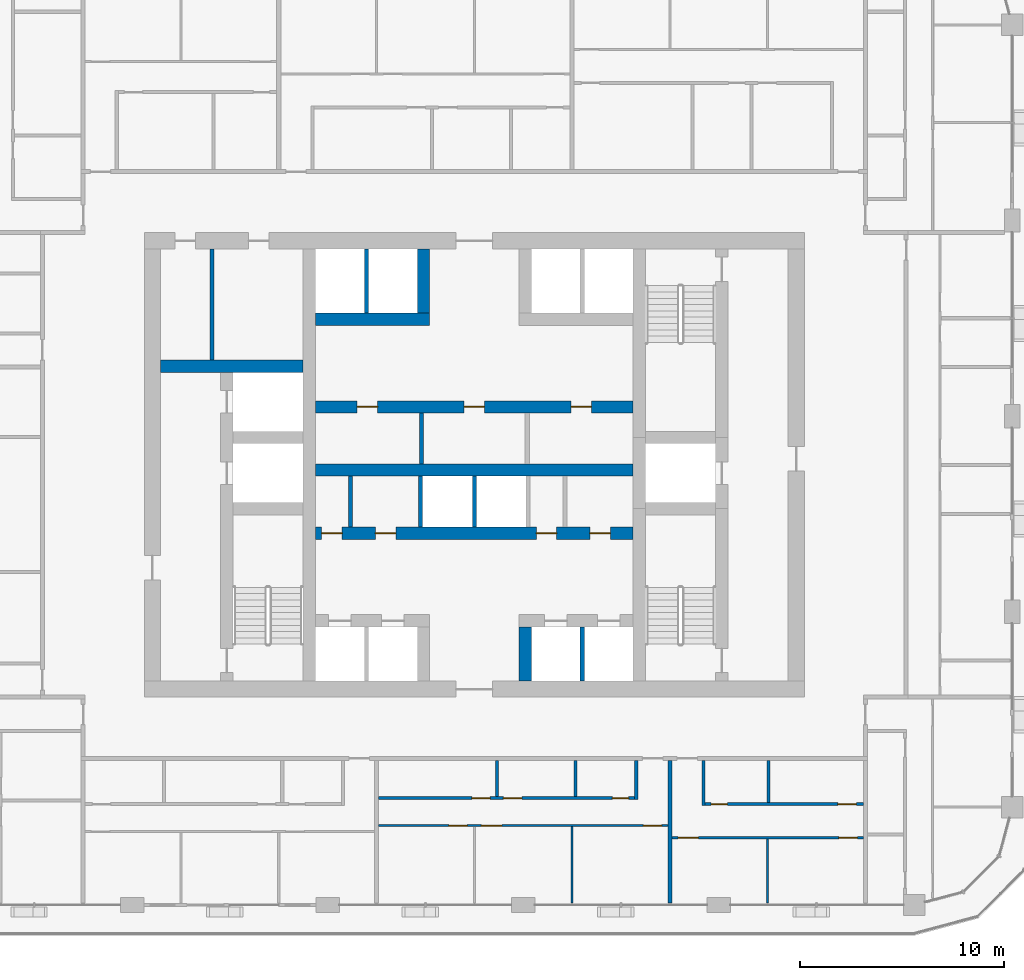
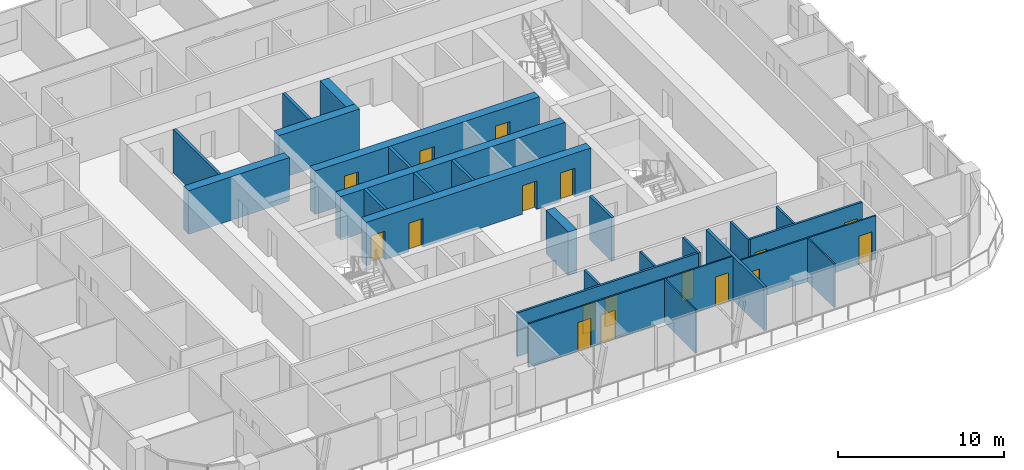
# One storey, part 11 of 23: 26 walls, 17 doors, 17 openings.
"""IFC4 building model written with IfcOpenShell, lengths in metres."""

from ifc_helpers import new_model, si_unit, direction, frame, frame_2d, origin, place, context, subcontext, project, spatial, rectangle, extrude, material, layer, layer_set, type_object, element, fill, save


model = new_model("IFC4")

# Units and contexts
model_context = context("Model", 3, precision=1e-05, world=origin(), true_north=direction((0.0, 1.0)))
body_context = subcontext(model_context, "Body", "Model", "MODEL_VIEW")
ifc_project = project(units=[si_unit("LENGTHUNIT", "METRE"), si_unit("AREAUNIT", "SQUARE_METRE"), si_unit("VOLUMEUNIT", "CUBIC_METRE"), si_unit("PLANEANGLEUNIT", "RADIAN"), si_unit("MASSUNIT", "GRAM", prefix="KILO")], contexts=[model_context])

# Site, building, storey
site_placement = place(None, origin())
site = spatial("IfcSite", under=ifc_project, at=site_placement, CompositionType="ELEMENT")
building_placement = place(site_placement, origin())
building = spatial("IfcBuilding", under=site, at=building_placement, Name="Madar Terraces", CompositionType="ELEMENT")
storey_placement = place(building_placement, frame((0.0, 0.0, 133.10009765625)))
storey = spatial("IfcBuildingStorey", under=building, at=storey_placement, Name="L34", CompositionType="ELEMENT", Elevation=133.10009765625)

# Wall
ifc_material_1 = material(Name="Concrete C70/85", Category="concrete")
ifc_layer_1 = layer(ifc_material_1, 0.60009765625)
ifc_layer_set_1 = layer_set([ifc_layer_1], Name="Concrete C70/85 (CIW3 RC wall 600)")
wall_type_1 = type_object("IfcWallType", Name="CIW3 RC wall 600", PredefinedType="SHEAR", material=ifc_layer_set_1)
wall_1_placement = place(storey_placement, frame((15.800048828125, 31.25, 0.0), z_axis=(0.0, 0.0, 1.0), x_axis=(1.0, 0.0, 0.0)))
element("IfcWall", 1, at=wall_1_placement, inside=storey, type_object=wall_type_1, Name="CORE SHAFT WALL", PredefinedType="SHEAR", context=body_context, shape_type="SweptSolid", body=[
    extrude(rectangle(XDim=7.0, YDim=0.60009765625, at=frame_2d((3.5, 0.0))), origin(), (0.0, 0.0, 1.0), 3.199951171875),
])

# Wall, openings, doors
wall_2_placement = place(storey_placement, frame((23.39990234375, 23.050048828125, 0.0), z_axis=(0.0, 0.0, 1.0), x_axis=(1.0, 0.0, 0.0)))
wall_2 = element("IfcWall", 2, at=wall_2_placement, inside=storey, type_object=wall_type_1, Name="CORE SHAFT WALL", PredefinedType="SHEAR", context=body_context, shape_type="SweptSolid", body=[
    extrude(rectangle(XDim=15.60009765625, YDim=0.60009765625, at=frame_2d((7.800048828125, 0.0))), origin(), (0.0, 0.0, 1.0), 3.199951171875),
])
opening_1_placement = place(wall_2_placement, frame((0.311279296875, 0.0, 0.0)))
opening_1 = element("IfcOpeningElement", 3, at=opening_1_placement, cuts=wall_2, Name="Opening KD2", PredefinedType="OPENING", context=body_context, shape_type="SweptSolid", body=[
    extrude(rectangle(XDim=1.0, YDim=2.10009765625, at=frame_2d((0.5, 1.050048828125))), frame((0.0, 0.31005859375, 0.0), z_axis=(0.0, -1.0, 0.0), x_axis=(1.0, 0.0, 0.0)), (0.0, 0.0, 1.0), 0.6201171875),
])
opening_2_placement = place(wall_2_placement, frame((2.944580078125, 0.0, 0.0)))
opening_2 = element("IfcOpeningElement", 4, at=opening_2_placement, cuts=wall_2, Name="Opening KD2", PredefinedType="OPENING", context=body_context, shape_type="SweptSolid", body=[
    extrude(rectangle(XDim=1.0, YDim=2.10009765625, at=frame_2d((0.5, 1.050048828125))), frame((0.0, 0.31005859375, 0.0), z_axis=(0.0, -1.0, 0.0), x_axis=(1.0, 0.0, 0.0)), (0.0, 0.0, 1.0), 0.6201171875),
])
opening_3_placement = place(wall_2_placement, frame((10.8447265625, 0.0, 0.0)))
opening_3 = element("IfcOpeningElement", 5, at=opening_3_placement, cuts=wall_2, Name="Opening KD2", PredefinedType="OPENING", context=body_context, shape_type="SweptSolid", body=[
    extrude(rectangle(XDim=1.0, YDim=2.10009765625, at=frame_2d((0.5, 1.050048828125))), frame((0.0, 0.31005859375, 0.0), z_axis=(0.0, -1.0, 0.0), x_axis=(1.0, 0.0, 0.0)), (0.0, 0.0, 1.0), 0.6201171875),
])
opening_4_placement = place(wall_2_placement, frame((13.47802734375, 0.0, 0.0)))
opening_4 = element("IfcOpeningElement", 6, at=opening_4_placement, cuts=wall_2, Name="Opening KD2", PredefinedType="OPENING", context=body_context, shape_type="SweptSolid", body=[
    extrude(rectangle(XDim=1.0, YDim=2.10009765625, at=frame_2d((0.5, 1.050048828125))), frame((0.0, 0.31005859375, 0.0), z_axis=(0.0, -1.0, 0.0), x_axis=(1.0, 0.0, 0.0)), (0.0, 0.0, 1.0), 0.6201171875),
])
ifc_material_2 = material(Name="Steel door leaf", Category="steel")
door_type_1 = type_object("IfcDoorType", Name="Service room door 1000 x 2100", OperationType="NOTDEFINED", PredefinedType="DOOR", material=ifc_material_2)
door_1_placement = place(opening_1_placement, frame((1.0, 0.0, 0.0), z_axis=(0.0, 0.0, 1.0), x_axis=(-1.0, 0.0, 0.0)))
door_1 = element("IfcDoor", 7, at=door_1_placement, inside=storey, type_object=door_type_1, Name="SERVICE ROOM DOOR", OperationType="SINGLE_SWING_LEFT", OverallHeight=2.10009765625, OverallWidth=1.0, PredefinedType="DOOR", context=body_context, shape_type="SweptSolid", body=[
    extrude(rectangle(XDim=1.0, YDim=2.10009765625, at=frame_2d((0.5, 1.050048828125))), frame((0.0, 0.02490234375, 0.0), z_axis=(0.0, -1.0, 0.0), x_axis=(1.0, 0.0, 0.0)), (0.0, 0.0, 1.0), 0.050048828125),
])
fill(opening_1, door_1)
door_2_placement = place(opening_2_placement, frame((1.0, 0.0, 0.0), z_axis=(0.0, 0.0, 1.0), x_axis=(-1.0, 0.0, 0.0)))
door_2 = element("IfcDoor", 8, at=door_2_placement, inside=storey, type_object=door_type_1, Name="SERVICE ROOM DOOR", OperationType="SINGLE_SWING_RIGHT", OverallHeight=2.10009765625, OverallWidth=1.0, PredefinedType="DOOR", context=body_context, shape_type="SweptSolid", body=[
    extrude(rectangle(XDim=1.0, YDim=2.10009765625, at=frame_2d((0.5, 1.050048828125))), frame((0.0, 0.02490234375, 0.0), z_axis=(0.0, -1.0, 0.0), x_axis=(1.0, 0.0, 0.0)), (0.0, 0.0, 1.0), 0.050048828125),
])
fill(opening_2, door_2)
door_3_placement = place(opening_3_placement, frame((1.0, 0.0, 0.0), z_axis=(0.0, 0.0, 1.0), x_axis=(-1.0, 0.0, 0.0)))
door_3 = element("IfcDoor", 9, at=door_3_placement, inside=storey, type_object=door_type_1, Name="SERVICE ROOM DOOR", OperationType="SINGLE_SWING_LEFT", OverallHeight=2.10009765625, OverallWidth=1.0, PredefinedType="DOOR", context=body_context, shape_type="SweptSolid", body=[
    extrude(rectangle(XDim=1.0, YDim=2.10009765625, at=frame_2d((0.5, 1.050048828125))), frame((0.0, 0.02490234375, 0.0), z_axis=(0.0, -1.0, 0.0), x_axis=(1.0, 0.0, 0.0)), (0.0, 0.0, 1.0), 0.050048828125),
])
fill(opening_3, door_3)
door_4_placement = place(opening_4_placement, frame((1.0, 0.0, 0.0), z_axis=(0.0, 0.0, 1.0), x_axis=(-1.0, 0.0, 0.0)))
door_4 = element("IfcDoor", 10, at=door_4_placement, inside=storey, type_object=door_type_1, Name="SERVICE ROOM DOOR", OperationType="SINGLE_SWING_RIGHT", OverallHeight=2.10009765625, OverallWidth=1.0, PredefinedType="DOOR", context=body_context, shape_type="SweptSolid", body=[
    extrude(rectangle(XDim=1.0, YDim=2.10009765625, at=frame_2d((0.5, 1.050048828125))), frame((0.0, 0.02490234375, 0.0), z_axis=(0.0, -1.0, 0.0), x_axis=(1.0, 0.0, 0.0)), (0.0, 0.0, 1.0), 0.050048828125),
])
fill(opening_4, door_4)

# Wall
wall_3_placement = place(storey_placement, frame((23.39990234375, 26.14990234375, 0.0), z_axis=(0.0, 0.0, 1.0), x_axis=(1.0, 0.0, 0.0)))
element("IfcWall", 11, at=wall_3_placement, inside=storey, type_object=wall_type_1, Name="CORE SHAFT WALL", PredefinedType="SHEAR", context=body_context, shape_type="SweptSolid", body=[
    extrude(rectangle(XDim=15.60009765625, YDim=0.60009765625, at=frame_2d((7.800048828125, 0.0))), origin(), (0.0, 0.0, 1.0), 3.199951171875),
])

# Wall, openings, doors
wall_4_placement = place(storey_placement, frame((23.39990234375, 29.25, 0.0), z_axis=(0.0, 0.0, 1.0), x_axis=(1.0, 0.0, 0.0)))
wall_4 = element("IfcWall", 12, at=wall_4_placement, inside=storey, type_object=wall_type_1, Name="CORE SHAFT WALL", PredefinedType="SHEAR", context=body_context, shape_type="SweptSolid", body=[
    extrude(rectangle(XDim=15.60009765625, YDim=0.60009765625, at=frame_2d((7.800048828125, 0.0))), origin(), (0.0, 0.0, 1.0), 3.199951171875),
])
opening_5_placement = place(wall_4_placement, frame((2.050048828125, 0.0, 0.0)))
opening_5 = element("IfcOpeningElement", 13, at=opening_5_placement, cuts=wall_4, Name="Opening KD2", PredefinedType="OPENING", context=body_context, shape_type="SweptSolid", body=[
    extrude(rectangle(XDim=1.0, YDim=2.10009765625, at=frame_2d((0.5, 1.050048828125))), frame((0.0, 0.31005859375, 0.0), z_axis=(0.0, -1.0, 0.0), x_axis=(1.0, 0.0, 0.0)), (0.0, 0.0, 1.0), 0.6201171875),
])
opening_6_placement = place(wall_4_placement, frame((7.300048828125, 0.0, 0.0)))
opening_6 = element("IfcOpeningElement", 14, at=opening_6_placement, cuts=wall_4, Name="Opening KD2", PredefinedType="OPENING", context=body_context, shape_type="SweptSolid", body=[
    extrude(rectangle(XDim=1.0, YDim=2.10009765625, at=frame_2d((0.5, 1.050048828125))), frame((0.0, 0.31005859375, 0.0), z_axis=(0.0, -1.0, 0.0), x_axis=(1.0, 0.0, 0.0)), (0.0, 0.0, 1.0), 0.6201171875),
])
opening_7_placement = place(wall_4_placement, frame((12.550048828125, 0.0, 0.0)))
opening_7 = element("IfcOpeningElement", 15, at=opening_7_placement, cuts=wall_4, Name="Opening KD2", PredefinedType="OPENING", context=body_context, shape_type="SweptSolid", body=[
    extrude(rectangle(XDim=1.0, YDim=2.10009765625, at=frame_2d((0.5, 1.050048828125))), frame((0.0, 0.31005859375, 0.0), z_axis=(0.0, -1.0, 0.0), x_axis=(1.0, 0.0, 0.0)), (0.0, 0.0, 1.0), 0.6201171875),
])
door_5_placement = place(opening_5_placement, origin())
door_5 = element("IfcDoor", 16, at=door_5_placement, inside=storey, type_object=door_type_1, Name="SERVICE ROOM DOOR", OperationType="SINGLE_SWING_LEFT", OverallHeight=2.10009765625, OverallWidth=1.0, PredefinedType="DOOR", context=body_context, shape_type="SweptSolid", body=[
    extrude(rectangle(XDim=1.0, YDim=2.10009765625, at=frame_2d((0.5, 1.050048828125))), frame((0.0, 0.02490234375, 0.0), z_axis=(0.0, -1.0, 0.0), x_axis=(1.0, 0.0, 0.0)), (0.0, 0.0, 1.0), 0.050048828125),
])
fill(opening_5, door_5)
door_6_placement = place(opening_6_placement, origin())
door_6 = element("IfcDoor", 17, at=door_6_placement, inside=storey, type_object=door_type_1, Name="SERVICE ROOM DOOR", OperationType="SINGLE_SWING_RIGHT", OverallHeight=2.10009765625, OverallWidth=1.0, PredefinedType="DOOR", context=body_context, shape_type="SweptSolid", body=[
    extrude(rectangle(XDim=1.0, YDim=2.10009765625, at=frame_2d((0.5, 1.050048828125))), frame((0.0, 0.02490234375, 0.0), z_axis=(0.0, -1.0, 0.0), x_axis=(1.0, 0.0, 0.0)), (0.0, 0.0, 1.0), 0.050048828125),
])
fill(opening_6, door_6)
door_7_placement = place(opening_7_placement, origin())
door_7 = element("IfcDoor", 18, at=door_7_placement, inside=storey, type_object=door_type_1, Name="SERVICE ROOM DOOR", OperationType="SINGLE_SWING_LEFT", OverallHeight=2.10009765625, OverallWidth=1.0, PredefinedType="DOOR", context=body_context, shape_type="SweptSolid", body=[
    extrude(rectangle(XDim=1.0, YDim=2.10009765625, at=frame_2d((0.5, 1.050048828125))), frame((0.0, 0.02490234375, 0.0), z_axis=(0.0, -1.0, 0.0), x_axis=(1.0, 0.0, 0.0)), (0.0, 0.0, 1.0), 0.050048828125),
])
fill(opening_7, door_7)

# Walls
wall_5_placement = place(storey_placement, frame((23.39990234375, 33.550048828125, 0.0), z_axis=(0.0, 0.0, 1.0), x_axis=(1.0, 0.0, 0.0)))
element("IfcWall", 19, at=wall_5_placement, inside=storey, type_object=wall_type_1, Name="CORE SHAFT WALL", PredefinedType="SHEAR", context=body_context, shape_type="SweptSolid", body=[
    extrude(rectangle(XDim=5.60009765625, YDim=0.60009765625, at=frame_2d((2.800048828125, 0.0))), origin(), (0.0, 0.0, 1.0), 3.199951171875),
])
wall_6_placement = place(storey_placement, frame((33.699951171875, 15.800048828125, 0.0), z_axis=(0.0, 0.0, 1.0), x_axis=(0.0, 1.0, 0.0)))
element("IfcWall", 20, at=wall_6_placement, inside=storey, type_object=wall_type_1, Name="CORE SHAFT WALL", PredefinedType="SHEAR", context=body_context, shape_type="SweptSolid", body=[
    extrude(rectangle(XDim=2.64990234375, YDim=0.60009765625, at=frame_2d((1.324951171875, 0.0))), origin(), (0.0, 0.0, 1.0), 3.199951171875),
])
wall_7_placement = place(storey_placement, frame((28.699951171875, 33.85009765625, 0.0), z_axis=(0.0, 0.0, 1.0), x_axis=(0.0, 1.0, 0.0)))
element("IfcWall", 21, at=wall_7_placement, inside=storey, type_object=wall_type_1, Name="CORE SHAFT WALL", PredefinedType="SHEAR", context=body_context, shape_type="SweptSolid", body=[
    extrude(rectangle(XDim=3.14990234375, YDim=0.60009765625, at=frame_2d((1.574951171875, 0.0))), origin(), (0.0, 0.0, 1.0), 3.199951171875),
])
ifc_material_3 = material(Name="Masonry blockwork", Category="masonry")
ifc_layer_2 = layer(ifc_material_3, 0.199951171875)
ifc_layer_set_2 = layer_set([ifc_layer_2], Name="Core partition 200 blockwork")
wall_type_2 = type_object("IfcWallType", Name="Core partition 200 blockwork", PredefinedType="PARTITIONING", material=ifc_layer_set_2)
wall_8_placement = place(storey_placement, frame((18.320068359375, 31.550048828125, 0.0), z_axis=(0.0, 0.0, 1.0), x_axis=(0.0, 1.0, 0.0)))
element("IfcWall", 22, at=wall_8_placement, inside=storey, type_object=wall_type_2, Name="SERVICE ROOM PARTITION", PredefinedType="PARTITIONING", context=body_context, shape_type="SweptSolid", body=[
    extrude(rectangle(XDim=5.449951171875, YDim=0.199951171875, at=frame_2d((2.72509765625, 0.0))), origin(), (0.0, 0.0, 1.0), 3.199951171875),
])
for number, where, z_axis, x_axis, name in (
    (23, (25.12255859375, 23.35009765625, 0.0), (0.0, 0.0, 1.0), (0.0, 1.0, 0.0), "SERVICE ROOM PARTITION"),
    (24, (28.60009765625, 26.449951171875, 0.0), (0.0, 0.0, 1.0), (0.0, 1.0, 0.0), "SERVICE ROOM PARTITION"),
):
    element("IfcWall", number, at=place(storey_placement, frame(where, z_axis=z_axis, x_axis=x_axis)), inside=storey, type_object=wall_type_2, Name=name, PredefinedType="PARTITIONING", context=body_context, shape_type="SweptSolid", body=[
        extrude(rectangle(XDim=2.5, YDim=0.199951171875, at=frame_2d((1.25, 0.0))), origin(), (0.0, 0.0, 1.0), 3.199951171875),
    ])
ifc_material_4 = material(Name="Concrete C40/50", Category="concrete")
ifc_layer_3 = layer(ifc_material_4, 0.199951171875)
ifc_layer_set_3 = layer_set([ifc_layer_3], Name="Core shaft dividing wall 200 C40/50")
wall_type_3 = type_object("IfcWallType", Name="Core shaft dividing wall 200 C40/50", PredefinedType="SOLIDWALL", material=ifc_layer_set_3)
for number, where, z_axis, x_axis, name in (
    (25, (28.566650390625, 23.35009765625, 0.0), (0.0, 0.0, 1.0), (0.0, 1.0, 0.0), "SHAFT DIVIDING WALL"),
    (26, (31.199951171875, 23.35009765625, 0.0), (0.0, 0.0, 1.0), (0.0, 1.0, 0.0), "SHAFT DIVIDING WALL"),
):
    element("IfcWall", number, at=place(storey_placement, frame(where, z_axis=z_axis, x_axis=x_axis)), inside=storey, type_object=wall_type_3, Name=name, PredefinedType="SOLIDWALL", context=body_context, shape_type="SweptSolid", body=[
        extrude(rectangle(XDim=2.5, YDim=0.199951171875, at=frame_2d((1.25, 0.0))), origin(), (0.0, 0.0, 1.0), 3.199951171875),
    ])
wall_9_placement = place(storey_placement, frame((25.89990234375, 33.85009765625, 0.0), z_axis=(0.0, 0.0, 1.0), x_axis=(0.0, 1.0, 0.0)))
element("IfcWall", 27, at=wall_9_placement, inside=storey, type_object=wall_type_3, Name="SHAFT DIVIDING WALL", PredefinedType="SOLIDWALL", context=body_context, shape_type="SweptSolid", body=[
    extrude(rectangle(XDim=3.14990234375, YDim=0.199951171875, at=frame_2d((1.574951171875, 0.0))), origin(), (0.0, 0.0, 1.0), 3.199951171875),
])
wall_10_placement = place(storey_placement, frame((36.5, 15.800048828125, 0.0), z_axis=(0.0, 0.0, 1.0), x_axis=(0.0, 1.0, 0.0)))
element("IfcWall", 28, at=wall_10_placement, inside=storey, type_object=wall_type_3, Name="SHAFT DIVIDING WALL", PredefinedType="SOLIDWALL", context=body_context, shape_type="SweptSolid", body=[
    extrude(rectangle(XDim=2.64990234375, YDim=0.199951171875, at=frame_2d((1.324951171875, 0.0))), origin(), (0.0, 0.0, 1.0), 3.199951171875),
])
ifc_material_5 = material(Name="Gypsum board on steel studs", Category="steel")
ifc_layer_4 = layer(ifc_material_5, 0.10009765625)
ifc_layer_set_4 = layer_set([ifc_layer_4], Name="Flat partition 100")
wall_type_4 = type_object("IfcWallType", Name="Flat partition 100", PredefinedType="PARTITIONING", material=ifc_layer_set_4)
wall_11_placement = place(storey_placement, frame((36.0, 8.64990234375, 0.0), z_axis=(0.0, 0.0, 1.0), x_axis=(0.0, -1.0, 0.0)))
element("IfcWall", 29, at=wall_11_placement, inside=storey, type_object=wall_type_4, Name="Flat partition 100", PredefinedType="PARTITIONING", context=body_context, shape_type="SweptSolid", body=[
    extrude(rectangle(XDim=3.75, YDim=0.10009765625, at=frame_2d((1.875, 0.0))), origin(), (0.0, 0.0, 1.0), 3.199951171875),
])

# Wall, openings, doors
wall_12_placement = place(storey_placement, frame((40.699951171875, 8.699951171875, 0.0), z_axis=(0.0, 0.0, 1.0), x_axis=(-1.0, 0.0, 0.0)))
wall_12 = element("IfcWall", 30, at=wall_12_placement, inside=storey, type_object=wall_type_4, Name="Flat partition 100", PredefinedType="PARTITIONING", context=body_context, shape_type="SweptSolid", body=[
    extrude(rectangle(XDim=14.199951171875, YDim=0.10009765625, at=frame_2d((7.10009765625, 0.0))), origin(), (0.0, 0.0, 1.0), 3.199951171875),
])
opening_8_placement = place(wall_12_placement, frame((0.300048828125, 0.0, 0.0)))
opening_8 = element("IfcOpeningElement", 31, at=opening_8_placement, cuts=wall_12, Name="Opening D2", PredefinedType="OPENING", context=body_context, shape_type="SweptSolid", body=[
    extrude(rectangle(XDim=0.89990234375, YDim=2.10009765625, at=frame_2d((0.449951171875, 1.050048828125))), frame((0.0, 0.06005859375, 0.0), z_axis=(0.0, -1.0, 0.0), x_axis=(1.0, 0.0, 0.0)), (0.0, 0.0, 1.0), 0.1201171875),
])
opening_9_placement = place(wall_12_placement, frame((8.14990234375, 0.0, 0.0)))
opening_9 = element("IfcOpeningElement", 32, at=opening_9_placement, cuts=wall_12, Name="Opening D3", PredefinedType="OPENING", context=body_context, shape_type="SweptSolid", body=[
    extrude(rectangle(XDim=1.0, YDim=2.10009765625, at=frame_2d((0.5, 1.050048828125))), frame((0.0, 0.06005859375, 0.0), z_axis=(0.0, -1.0, 0.0), x_axis=(1.0, 0.0, 0.0)), (0.0, 0.0, 1.0), 0.1201171875),
])
opening_10_placement = place(wall_12_placement, frame((9.85009765625, 0.0, 0.0)))
opening_10 = element("IfcOpeningElement", 33, at=opening_10_placement, cuts=wall_12, Name="Opening D2", PredefinedType="OPENING", context=body_context, shape_type="SweptSolid", body=[
    extrude(rectangle(XDim=0.89990234375, YDim=2.10009765625, at=frame_2d((0.449951171875, 1.050048828125))), frame((0.0, 0.06005859375, 0.0), z_axis=(0.0, -1.0, 0.0), x_axis=(1.0, 0.0, 0.0)), (0.0, 0.0, 1.0), 0.1201171875),
])
ifc_material_6 = material(Name="Timber door leaf", Category="wood")
door_type_2 = type_object("IfcDoorType", Name="Flat living room door 1000", OperationType="NOTDEFINED", PredefinedType="DOOR", material=ifc_material_6)
door_8_placement = place(opening_9_placement, origin())
door_8 = element("IfcDoor", 34, at=door_8_placement, inside=storey, type_object=door_type_2, Name="Flat living room door 1000", OperationType="SINGLE_SWING_RIGHT", OverallHeight=2.10009765625, OverallWidth=1.0, PredefinedType="DOOR", context=body_context, shape_type="SweptSolid", body=[
    extrude(rectangle(XDim=1.0, YDim=2.10009765625, at=frame_2d((0.5, 1.050048828125))), frame((0.0, 0.02490234375, 0.0), z_axis=(0.0, -1.0, 0.0), x_axis=(1.0, 0.0, 0.0)), (0.0, 0.0, 1.0), 0.050048828125),
])
fill(opening_9, door_8)
ifc_material_7 = material(Name="Timber door leaf", Category="wood")
door_type_3 = type_object("IfcDoorType", Name="Flat room door 900", OperationType="NOTDEFINED", PredefinedType="DOOR", material=ifc_material_7)
door_9_placement = place(opening_8_placement, origin())
door_9 = element("IfcDoor", 35, at=door_9_placement, inside=storey, type_object=door_type_3, Name="Flat room door 900", OperationType="SINGLE_SWING_LEFT", OverallHeight=2.10009765625, OverallWidth=0.89990234375, PredefinedType="DOOR", context=body_context, shape_type="SweptSolid", body=[
    extrude(rectangle(XDim=0.89990234375, YDim=2.10009765625, at=frame_2d((0.449951171875, 1.050048828125))), frame((0.0, 0.02490234375, 0.0), z_axis=(0.0, -1.0, 0.0), x_axis=(1.0, 0.0, 0.0)), (0.0, 0.0, 1.0), 0.050048828125),
])
fill(opening_8, door_9)
door_10_placement = place(opening_10_placement, origin())
door_10 = element("IfcDoor", 36, at=door_10_placement, inside=storey, type_object=door_type_3, Name="Flat room door 900", OperationType="SINGLE_SWING_LEFT", OverallHeight=2.10009765625, OverallWidth=0.89990234375, PredefinedType="DOOR", context=body_context, shape_type="SweptSolid", body=[
    extrude(rectangle(XDim=0.89990234375, YDim=2.10009765625, at=frame_2d((0.449951171875, 1.050048828125))), frame((0.0, 0.02490234375, 0.0), z_axis=(0.0, -1.0, 0.0), x_axis=(1.0, 0.0, 0.0)), (0.0, 0.0, 1.0), 0.050048828125),
])
fill(opening_10, door_10)

# Wall
wall_13_placement = place(storey_placement, frame((45.60009765625, 8.050048828125, 0.0), z_axis=(0.0, 0.0, 1.0), x_axis=(0.0, -1.0, 0.0)))
element("IfcWall", 37, at=wall_13_placement, inside=storey, type_object=wall_type_4, Name="Flat partition 100", PredefinedType="PARTITIONING", context=body_context, shape_type="SweptSolid", body=[
    extrude(rectangle(XDim=3.150146484375, YDim=0.10009765625, at=frame_2d((1.5751953125, 0.0))), origin(), (0.0, 0.0, 1.0), 3.199951171875),
])

# Wall, openings, doors
wall_14_placement = place(storey_placement, frame((50.300048828125, 8.10009765625, 0.0), z_axis=(0.0, 0.0, 1.0), x_axis=(-1.0, 0.0, 0.0)))
wall_14 = element("IfcWall", 38, at=wall_14_placement, inside=storey, type_object=wall_type_4, Name="Flat partition 100", PredefinedType="PARTITIONING", context=body_context, shape_type="SweptSolid", body=[
    extrude(rectangle(XDim=9.400146484375, YDim=0.10009765625, at=frame_2d((4.7001953125, 0.0))), origin(), (0.0, 0.0, 1.0), 3.199951171875),
])
opening_11_placement = place(wall_14_placement, frame((8.10009765625, 0.0, 0.0)))
opening_11 = element("IfcOpeningElement", 39, at=opening_11_placement, cuts=wall_14, Name="Opening D3", PredefinedType="OPENING", context=body_context, shape_type="SweptSolid", body=[
    extrude(rectangle(XDim=1.0, YDim=2.10009765625, at=frame_2d((0.5, 1.050048828125))), frame((0.0, 0.06005859375, 0.0), z_axis=(0.0, -1.0, 0.0), x_axis=(1.0, 0.0, 0.0)), (0.0, 0.0, 1.0), 0.1201171875),
])
opening_12_placement = place(wall_14_placement, frame((0.300048828125, 0.0, 0.0)))
opening_12 = element("IfcOpeningElement", 40, at=opening_12_placement, cuts=wall_14, Name="Opening D2", PredefinedType="OPENING", context=body_context, shape_type="SweptSolid", body=[
    extrude(rectangle(XDim=0.89990234375, YDim=2.10009765625, at=frame_2d((0.449951171875, 1.050048828125))), frame((0.0, 0.06005859375, 0.0), z_axis=(0.0, -1.0, 0.0), x_axis=(1.0, 0.0, 0.0)), (0.0, 0.0, 1.0), 0.1201171875),
])
door_11_placement = place(opening_11_placement, origin())
door_11 = element("IfcDoor", 41, at=door_11_placement, inside=storey, type_object=door_type_2, Name="Flat living room door 1000", OperationType="SINGLE_SWING_RIGHT", OverallHeight=2.10009765625, OverallWidth=1.0, PredefinedType="DOOR", context=body_context, shape_type="SweptSolid", body=[
    extrude(rectangle(XDim=1.0, YDim=2.10009765625, at=frame_2d((0.5, 1.050048828125))), frame((0.0, 0.02490234375, 0.0), z_axis=(0.0, -1.0, 0.0), x_axis=(1.0, 0.0, 0.0)), (0.0, 0.0, 1.0), 0.050048828125),
])
fill(opening_11, door_11)
door_12_placement = place(opening_12_placement, origin())
door_12 = element("IfcDoor", 42, at=door_12_placement, inside=storey, type_object=door_type_3, Name="Flat room door 900", OperationType="SINGLE_SWING_LEFT", OverallHeight=2.10009765625, OverallWidth=0.89990234375, PredefinedType="DOOR", context=body_context, shape_type="SweptSolid", body=[
    extrude(rectangle(XDim=0.89990234375, YDim=2.10009765625, at=frame_2d((0.449951171875, 1.050048828125))), frame((0.0, 0.02490234375, 0.0), z_axis=(0.0, -1.0, 0.0), x_axis=(1.0, 0.0, 0.0)), (0.0, 0.0, 1.0), 0.050048828125),
])
fill(opening_12, door_12)

# Walls
ifc_material_8 = material(Name="Lightweight blockwork", Category="masonry")
ifc_layer_5 = layer(ifc_material_8, 0.199951171875)
ifc_layer_set_5 = layer_set([ifc_layer_5], Name="Flat party and entrance wall 200")
wall_type_5 = type_object("IfcWallType", Name="Flat party and entrance wall 200", PredefinedType="PARTITIONING", material=ifc_layer_set_5)
wall_15_placement = place(storey_placement, frame((40.800048828125, 11.89990234375, 0.0), z_axis=(0.0, 0.0, 1.0), x_axis=(0.0, -1.0, 0.0)))
element("IfcWall", 43, at=wall_15_placement, inside=storey, type_object=wall_type_5, Name="Flat party and entrance wall 200", PredefinedType="PARTITIONING", context=body_context, shape_type="SweptSolid", body=[
    extrude(rectangle(XDim=7.0, YDim=0.199951171875, at=frame_2d((3.5, 0.0))), origin(), (0.0, 0.0, 1.0), 3.199951171875),
])
ifc_material_9 = material(Name="Lightweight blockwork", Category="masonry")
ifc_layer_6 = layer(ifc_material_9, 0.14990234375)
ifc_layer_set_6 = layer_set([ifc_layer_6], Name="Flat wet-room partition 150")
wall_type_6 = type_object("IfcWallType", Name="Flat wet-room partition 150", PredefinedType="PARTITIONING", material=ifc_layer_set_6)
for number, where, z_axis, x_axis, name in (
    (44, (36.173095703125, 11.89990234375, 0.0), (0.0, 0.0, 1.0), (0.0, -1.0, 0.0), "Flat wet-room partition 150"),
    (45, (32.303955078125, 11.89990234375, 0.0), (0.0, 0.0, 1.0), (0.0, -1.0, 0.0), "Flat wet-room partition 150"),
):
    element("IfcWall", number, at=place(storey_placement, frame(where, z_axis=z_axis, x_axis=x_axis)), inside=storey, type_object=wall_type_6, Name=name, PredefinedType="PARTITIONING", context=body_context, shape_type="SweptSolid", body=[
        extrude(rectangle(XDim=1.77490234375, YDim=0.14990234375, at=frame_2d((0.887451171875, 0.0))), origin(), (0.0, 0.0, 1.0), 3.199951171875),
    ])
wall_16_placement = place(storey_placement, frame((39.14990234375, 11.89990234375, 0.0), z_axis=(0.0, 0.0, 1.0), x_axis=(0.0, -1.0, 0.0)))
element("IfcWall", 46, at=wall_16_placement, inside=storey, type_object=wall_type_6, Name="Flat wet-room partition 150", PredefinedType="PARTITIONING", context=body_context, shape_type="SweptSolid", body=[
    extrude(rectangle(XDim=1.9248046875, YDim=0.14990234375, at=frame_2d((0.96240234375, 0.0))), origin(), (0.0, 0.0, 1.0), 3.199951171875),
])

# Wall, openings, doors
wall_17_placement = place(storey_placement, frame((26.5, 10.050048828125, 0.0), z_axis=(0.0, 0.0, 1.0), x_axis=(1.0, 0.0, 0.0)))
wall_17 = element("IfcWall", 47, at=wall_17_placement, inside=storey, type_object=wall_type_6, Name="Flat wet-room partition 150", PredefinedType="PARTITIONING", context=body_context, shape_type="SweptSolid", body=[
    extrude(rectangle(XDim=12.574951171875, YDim=0.14990234375, at=frame_2d((6.28759765625, 0.0))), origin(), (0.0, 0.0, 1.0), 3.199951171875),
])
opening_13_placement = place(wall_17_placement, frame((11.47509765625, 0.0, 0.0)))
opening_13 = element("IfcOpeningElement", 48, at=opening_13_placement, cuts=wall_17, Name="Opening D4", PredefinedType="OPENING", context=body_context, shape_type="SweptSolid", body=[
    extrude(rectangle(XDim=0.800048828125, YDim=2.10009765625, at=frame_2d((0.39990234375, 1.050048828125))), frame((0.0, 0.0849609375, 0.0), z_axis=(0.0, -1.0, 0.0), x_axis=(1.0, 0.0, 0.0)), (0.0, 0.0, 1.0), 0.169921875),
])
opening_14_placement = place(wall_17_placement, frame((6.12890625, 0.0, 0.0)))
opening_14 = element("IfcOpeningElement", 49, at=opening_14_placement, cuts=wall_17, Name="Opening D5", PredefinedType="OPENING", context=body_context, shape_type="SweptSolid", body=[
    extrude(rectangle(XDim=0.89990234375, YDim=2.10009765625, at=frame_2d((0.449951171875, 1.050048828125))), frame((0.0, 0.0849609375, 0.0), z_axis=(0.0, -1.0, 0.0), x_axis=(1.0, 0.0, 0.0)), (0.0, 0.0, 1.0), 0.169921875),
])
opening_15_placement = place(wall_17_placement, frame((4.578857421875, 0.0, 0.0)))
opening_15 = element("IfcOpeningElement", 50, at=opening_15_placement, cuts=wall_17, Name="Opening D2", PredefinedType="OPENING", context=body_context, shape_type="SweptSolid", body=[
    extrude(rectangle(XDim=0.89990234375, YDim=2.10009765625, at=frame_2d((0.449951171875, 1.050048828125))), frame((0.0, 0.0849609375, 0.0), z_axis=(0.0, -1.0, 0.0), x_axis=(1.0, 0.0, 0.0)), (0.0, 0.0, 1.0), 0.169921875),
])
ifc_material_10 = material(Name="Timber door leaf", Category="wood")
door_type_4 = type_object("IfcDoorType", Name="Flat accessible bathroom door 900", OperationType="NOTDEFINED", PredefinedType="DOOR", material=ifc_material_10)
door_13_placement = place(opening_14_placement, origin())
door_13 = element("IfcDoor", 51, at=door_13_placement, inside=storey, type_object=door_type_4, Name="Flat accessible bathroom door 900", OperationType="SINGLE_SWING_LEFT", OverallHeight=2.10009765625, OverallWidth=0.89990234375, PredefinedType="DOOR", context=body_context, shape_type="SweptSolid", body=[
    extrude(rectangle(XDim=0.89990234375, YDim=2.10009765625, at=frame_2d((0.449951171875, 1.050048828125))), frame((0.0, 0.02490234375, 0.0), z_axis=(0.0, -1.0, 0.0), x_axis=(1.0, 0.0, 0.0)), (0.0, 0.0, 1.0), 0.050048828125),
])
fill(opening_14, door_13)
ifc_material_11 = material(Name="Timber door leaf", Category="wood")
door_type_5 = type_object("IfcDoorType", Name="Flat bathroom door 800", OperationType="NOTDEFINED", PredefinedType="DOOR", material=ifc_material_11)
door_14_placement = place(opening_13_placement, origin())
door_14 = element("IfcDoor", 52, at=door_14_placement, inside=storey, type_object=door_type_5, Name="Flat bathroom door 800", OperationType="SINGLE_SWING_RIGHT", OverallHeight=2.10009765625, OverallWidth=0.800048828125, PredefinedType="DOOR", context=body_context, shape_type="SweptSolid", body=[
    extrude(rectangle(XDim=0.800048828125, YDim=2.10009765625, at=frame_2d((0.39990234375, 1.050048828125))), frame((0.0, 0.02490234375, 0.0), z_axis=(0.0, -1.0, 0.0), x_axis=(1.0, 0.0, 0.0)), (0.0, 0.0, 1.0), 0.050048828125),
])
fill(opening_13, door_14)
door_15_placement = place(opening_15_placement, origin())
door_15 = element("IfcDoor", 53, at=door_15_placement, inside=storey, type_object=door_type_3, Name="Flat room door 900", OperationType="SINGLE_SWING_RIGHT", OverallHeight=2.10009765625, OverallWidth=0.89990234375, PredefinedType="DOOR", context=body_context, shape_type="SweptSolid", body=[
    extrude(rectangle(XDim=0.89990234375, YDim=2.10009765625, at=frame_2d((0.449951171875, 1.050048828125))), frame((0.0, 0.02490234375, 0.0), z_axis=(0.0, -1.0, 0.0), x_axis=(1.0, 0.0, 0.0)), (0.0, 0.0, 1.0), 0.050048828125),
])
fill(opening_15, door_15)

# Walls
wall_18_placement = place(storey_placement, frame((45.635009765625, 11.89990234375, 0.0), z_axis=(0.0, 0.0, 1.0), x_axis=(0.0, -1.0, 0.0)))
element("IfcWall", 54, at=wall_18_placement, inside=storey, type_object=wall_type_6, Name="Flat wet-room partition 150", PredefinedType="PARTITIONING", context=body_context, shape_type="SweptSolid", body=[
    extrude(rectangle(XDim=2.074951171875, YDim=0.14990234375, at=frame_2d((1.03759765625, 0.0))), origin(), (0.0, 0.0, 1.0), 3.199951171875),
])
wall_19_placement = place(storey_placement, frame((42.449951171875, 11.89990234375, 0.0), z_axis=(0.0, 0.0, 1.0), x_axis=(0.0, -1.0, 0.0)))
element("IfcWall", 55, at=wall_19_placement, inside=storey, type_object=wall_type_6, Name="Flat wet-room partition 150", PredefinedType="PARTITIONING", context=body_context, shape_type="SweptSolid", body=[
    extrude(rectangle(XDim=2.224853515625, YDim=0.14990234375, at=frame_2d((1.1123046875, 0.0))), origin(), (0.0, 0.0, 1.0), 3.199951171875),
])

# Wall, openings, doors
wall_20_placement = place(storey_placement, frame((42.52490234375, 9.75, 0.0), z_axis=(0.0, 0.0, 1.0), x_axis=(1.0, 0.0, 0.0)))
wall_20 = element("IfcWall", 56, at=wall_20_placement, inside=storey, type_object=wall_type_6, Name="Flat wet-room partition 150", PredefinedType="PARTITIONING", context=body_context, shape_type="SweptSolid", body=[
    extrude(rectangle(XDim=7.775146484375, YDim=0.14990234375, at=frame_2d((3.8876953125, 0.0))), origin(), (0.0, 0.0, 1.0), 3.199951171875),
])
opening_16_placement = place(wall_20_placement, frame((0.300048828125, 0.0, 0.0)))
opening_16 = element("IfcOpeningElement", 57, at=opening_16_placement, cuts=wall_20, Name="Opening D4", PredefinedType="OPENING", context=body_context, shape_type="SweptSolid", body=[
    extrude(rectangle(XDim=0.800048828125, YDim=2.10009765625, at=frame_2d((0.39990234375, 1.050048828125))), frame((0.0, 0.0849609375, 0.0), z_axis=(0.0, -1.0, 0.0), x_axis=(1.0, 0.0, 0.0)), (0.0, 0.0, 1.0), 0.169921875),
])
opening_17_placement = place(wall_20_placement, frame((6.52490234375, 0.0, 0.0)))
opening_17 = element("IfcOpeningElement", 58, at=opening_17_placement, cuts=wall_20, Name="Opening D2", PredefinedType="OPENING", context=body_context, shape_type="SweptSolid", body=[
    extrude(rectangle(XDim=0.89990234375, YDim=2.10009765625, at=frame_2d((0.449951171875, 1.050048828125))), frame((0.0, 0.0849609375, 0.0), z_axis=(0.0, -1.0, 0.0), x_axis=(1.0, 0.0, 0.0)), (0.0, 0.0, 1.0), 0.169921875),
])
door_16_placement = place(opening_16_placement, origin())
door_16 = element("IfcDoor", 59, at=door_16_placement, inside=storey, type_object=door_type_5, Name="Flat bathroom door 800", OperationType="SINGLE_SWING_LEFT", OverallHeight=2.10009765625, OverallWidth=0.800048828125, PredefinedType="DOOR", context=body_context, shape_type="SweptSolid", body=[
    extrude(rectangle(XDim=0.800048828125, YDim=2.10009765625, at=frame_2d((0.39990234375, 1.050048828125))), frame((0.0, 0.02490234375, 0.0), z_axis=(0.0, -1.0, 0.0), x_axis=(1.0, 0.0, 0.0)), (0.0, 0.0, 1.0), 0.050048828125),
])
fill(opening_16, door_16)
door_17_placement = place(opening_17_placement, origin())
door_17 = element("IfcDoor", 60, at=door_17_placement, inside=storey, type_object=door_type_3, Name="Flat room door 900", OperationType="SINGLE_SWING_RIGHT", OverallHeight=2.10009765625, OverallWidth=0.89990234375, PredefinedType="DOOR", context=body_context, shape_type="SweptSolid", body=[
    extrude(rectangle(XDim=0.89990234375, YDim=2.10009765625, at=frame_2d((0.449951171875, 1.050048828125))), frame((0.0, 0.02490234375, 0.0), z_axis=(0.0, -1.0, 0.0), x_axis=(1.0, 0.0, 0.0)), (0.0, 0.0, 1.0), 0.050048828125),
])
fill(opening_17, door_17)

save(model, "model.ifc")
